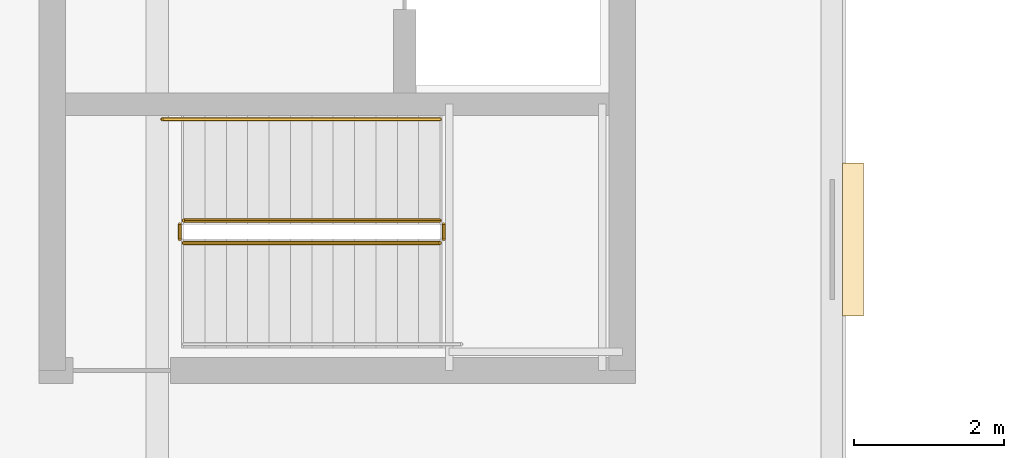
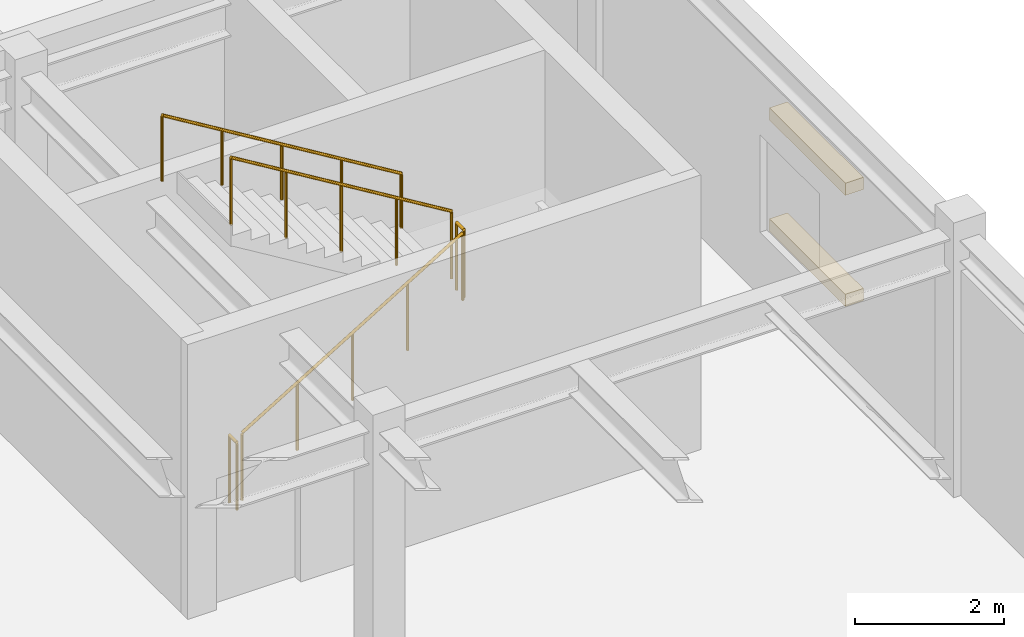
# One storey, part 56 of 64: 5 railings, 2 coverings.
"""IFC4 building model written with IfcOpenShell, lengths in metres."""

from ifc_helpers import new_model, si_unit, direction, frame, origin, origin_2d, place, context, subcontext, project, spatial, rectangle, circle, extrude, material, layer, layer_set, type_object, element, save


model = new_model("IFC4")

# Units and contexts
model_context = context("Model", 3, precision=1e-05, world=origin(), true_north=direction((0.0, 1.0)))
body_context = subcontext(model_context, "Body", "Model", "MODEL_VIEW")
ifc_project = project(units=[si_unit("LENGTHUNIT", "METRE"), si_unit("AREAUNIT", "SQUARE_METRE"), si_unit("VOLUMEUNIT", "CUBIC_METRE"), si_unit("PLANEANGLEUNIT", "RADIAN"), si_unit("MASSUNIT", "GRAM", prefix="KILO")], contexts=[model_context])

# Site, building, storey
site_placement = place(None, origin())
site = spatial("IfcSite", under=ifc_project, at=site_placement, CompositionType="ELEMENT")
building_placement = place(site_placement, origin())
building = spatial("IfcBuilding", under=site, at=building_placement, Name="Montealbar Specialist Clinic", CompositionType="ELEMENT")
storey_placement = place(building_placement, frame((0.0, 0.0, 5.10009765625)))
storey = spatial("IfcBuildingStorey", under=building, at=storey_placement, Name="L01", CompositionType="ELEMENT", Elevation=5.10009765625)

# Coverings
ifc_material_1 = material(Name="Guadarrama granite ashlar", Category="masonry")
ifc_layer_1 = layer(ifc_material_1, 0.280029296875, Name="Guadarrama granite ashlar", Category="masonry")
ifc_layer_set_1 = layer_set([ifc_layer_1], Name="Guadarrama granite ashlar")
covering_type = type_object("IfcCoveringType", Name="COV-HOOD-OCULUS", PredefinedType="CLADDING", material=ifc_layer_set_1)
for number, where, z_axis, x_axis, name in (
    (1, (18.27490234375, 56.544921875, 2.64990234375), (0.0, 0.0, 1.0), (0.0, -1.0, 0.0), "Postmodern Oculus Stone Frame L01-033-TOP"),
    (2, (18.27490234375, 56.544921875, 0.830078125), (0.0, 0.0, 1.0), (0.0, -1.0, 0.0), "Postmodern Oculus Stone Frame L01-033-BOT"),
):
    element("IfcCovering", number, at=place(storey_placement, frame(where, z_axis=z_axis, x_axis=x_axis)), inside=storey, type_object=covering_type, Name=name, PredefinedType="CLADDING", context=body_context, shape_type="SweptSolid", body=[
        extrude(rectangle(XDim=2.0400390625, YDim=0.280029296875, at=origin_2d()), origin(), (0.0, 0.0, 1.0), 0.199951171875),
    ])

# Railings
ifc_material_2 = material(Name="Steel S355", Category="steel")
ifc_layer_2 = layer(ifc_material_2, 0.050048828125, Name="Steel S355", Category="steel")
ifc_layer_set_2 = layer_set([ifc_layer_2], Name="Steel S355")
railing_type_1 = type_object("IfcRailingType", Name="RAIL-STAIR-BAL-1100", PredefinedType="BALUSTRADE", material=ifc_layer_set_2)
railing_1_placement = place(storey_placement, frame((9.35009765625, 56.5, 0.173095703125)))
element("IfcRailing", 3, at=railing_1_placement, inside=storey, type_object=railing_type_1, Name="L01 ST-01 stair guard 1", PredefinedType="BALUSTRADE", context=body_context, shape_type="SweptSolid", body=[
    extrude(circle(Radius=0.02392578125, at=origin_2d()), frame((0.0, 0.0, 1.076171875), z_axis=(0.854729506542, 0.0, 0.519073665916), x_axis=(0.0, 1.0, 0.0)), (0.0, 0.0, 1.0), 4.001220703125),
    extrude(circle(Radius=0.02099609375, at=origin_2d()), frame((0.0, 0.0, -0.02490234375)), (0.0, 0.0, 1.0), 1.076904296875),
    extrude(circle(Radius=0.02099609375, at=origin_2d()), frame((0.85498046875, 0.0, 0.494140625)), (0.0, 0.0, 1.0), 1.076904296875),
    extrude(circle(Radius=0.02099609375, at=origin_2d()), frame((1.7099609375, 0.0, 1.013427734375)), (0.0, 0.0, 1.0), 1.076904296875),
    extrude(circle(Radius=0.02099609375, at=origin_2d()), frame((2.56494140625, 0.0, 1.53271484375)), (0.0, 0.0, 1.0), 1.076904296875),
    extrude(circle(Radius=0.02099609375, at=origin_2d()), frame((3.419921875, 0.0, 2.052001953125)), (0.0, 0.0, 1.0), 1.076904296875),
])
railing_2_placement = place(storey_placement, frame((12.820068359375, 56.550048828125, 2.25)))
element("IfcRailing", 4, at=railing_2_placement, inside=storey, type_object=railing_type_1, Name="L01 ST-01 stair guard 2", PredefinedType="BALUSTRADE", context=body_context, shape_type="SweptSolid", body=[
    extrude(circle(Radius=0.02392578125, at=origin_2d()), frame((0.0, 0.0, 1.076171875), z_axis=(0.0, 1.0, 0.0), x_axis=(-1.0, 0.0, 0.0)), (0.0, 0.0, 1.0), 0.199951171875),
    extrude(circle(Radius=0.02099609375, at=origin_2d()), frame((0.0, 0.0, -0.02490234375)), (0.0, 0.0, 1.0), 1.076904296875),
    extrude(circle(Radius=0.02099609375, at=origin_2d()), frame((0.0, 0.199951171875, -0.02490234375)), (0.0, 0.0, 1.0), 1.076904296875),
])
railing_3_placement = place(storey_placement, frame((12.77001953125, 56.800048828125, 2.423095703125)))
element("IfcRailing", 5, at=railing_3_placement, inside=storey, type_object=railing_type_1, Name="L01 ST-01 stair guard 3", PredefinedType="BALUSTRADE", context=body_context, shape_type="SweptSolid", body=[
    extrude(circle(Radius=0.02392578125, at=origin_2d()), frame((0.0, 0.0, 1.076171875), z_axis=(-0.854729506542, 0.0, 0.519073665916), x_axis=(0.0, -1.0, 0.0)), (0.0, 0.0, 1.0), 4.001220703125),
    extrude(circle(Radius=0.02099609375, at=origin_2d()), frame((0.0, 0.0, -0.02490234375)), (0.0, 0.0, 1.0), 1.076904296875),
    extrude(circle(Radius=0.02099609375, at=origin_2d()), frame((-0.85498046875, 0.0, 0.494140625)), (0.0, 0.0, 1.0), 1.076904296875),
    extrude(circle(Radius=0.02099609375, at=origin_2d()), frame((-1.7099609375, 0.0, 1.013427734375)), (0.0, 0.0, 1.0), 1.076904296875),
    extrude(circle(Radius=0.02099609375, at=origin_2d()), frame((-2.56494140625, 0.0, 1.53271484375)), (0.0, 0.0, 1.0), 1.076904296875),
    extrude(circle(Radius=0.02099609375, at=origin_2d()), frame((-3.419921875, 0.0, 2.052001953125)), (0.0, 0.0, 1.0), 1.076904296875),
])
railing_4_placement = place(storey_placement, frame((9.300048828125, 56.550048828125, 0.0)))
element("IfcRailing", 6, at=railing_4_placement, inside=storey, type_object=railing_type_1, Name="L01 ST-01 stair guard 4", PredefinedType="BALUSTRADE", context=body_context, shape_type="SweptSolid", body=[
    extrude(circle(Radius=0.02392578125, at=origin_2d()), frame((0.0, 0.0, 1.076171875), z_axis=(0.0, 1.0, 0.0), x_axis=(-1.0, 0.0, 0.0)), (0.0, 0.0, 1.0), 0.199951171875),
    extrude(circle(Radius=0.02099609375, at=origin_2d()), frame((0.0, 0.0, -0.02490234375)), (0.0, 0.0, 1.0), 1.076904296875),
    extrude(circle(Radius=0.02099609375, at=origin_2d()), frame((0.0, 0.199951171875, -0.02490234375)), (0.0, 0.0, 1.0), 1.076904296875),
])
ifc_layer_3 = layer(ifc_material_2, 0.044921875, Name="Steel S355", Category="steel")
ifc_layer_set_3 = layer_set([ifc_layer_3], Name="Steel S355")
railing_type_2 = type_object("IfcRailingType", Name="RAIL-STAIR-HR-900", PredefinedType="HANDRAIL", material=ifc_layer_set_3)
railing_5_placement = place(storey_placement, frame((12.77001953125, 58.14990234375, 2.423095703125)))
element("IfcRailing", 7, at=railing_5_placement, inside=storey, type_object=railing_type_2, Name="L01 ST-01 stair handrail 2", PredefinedType="HANDRAIL", context=body_context, shape_type="SweptSolid", body=[
    extrude(circle(Radius=0.02392578125, at=origin_2d()), frame((0.0, 0.0, 0.8759765625), z_axis=(-0.854737540875, 0.0, 0.519060435998), x_axis=(0.0, -1.0, 0.0)), (0.0, 0.0, 1.0), 4.334716796875),
    extrude(circle(Radius=0.02099609375, at=origin_2d()), frame((0.0, 0.0, -0.02490234375)), (0.0, 0.0, 1.0), 0.876708984375),
    extrude(circle(Radius=0.02099609375, at=origin_2d()), frame((-0.92626953125, 0.0, 0.53759765625)), (0.0, 0.0, 1.0), 0.876708984375),
    extrude(circle(Radius=0.02099609375, at=origin_2d()), frame((-1.8525390625, 0.0, 1.10009765625)), (0.0, 0.0, 1.0), 0.876708984375),
    extrude(circle(Radius=0.02099609375, at=origin_2d()), frame((-2.77880859375, 0.0, 1.66259765625)), (0.0, 0.0, 1.0), 0.876708984375),
    extrude(circle(Radius=0.02099609375, at=origin_2d()), frame((-3.705078125, 0.0, 2.052001953125)), (0.0, 0.0, 1.0), 1.0498046875),
])

save(model, "model.ifc")
